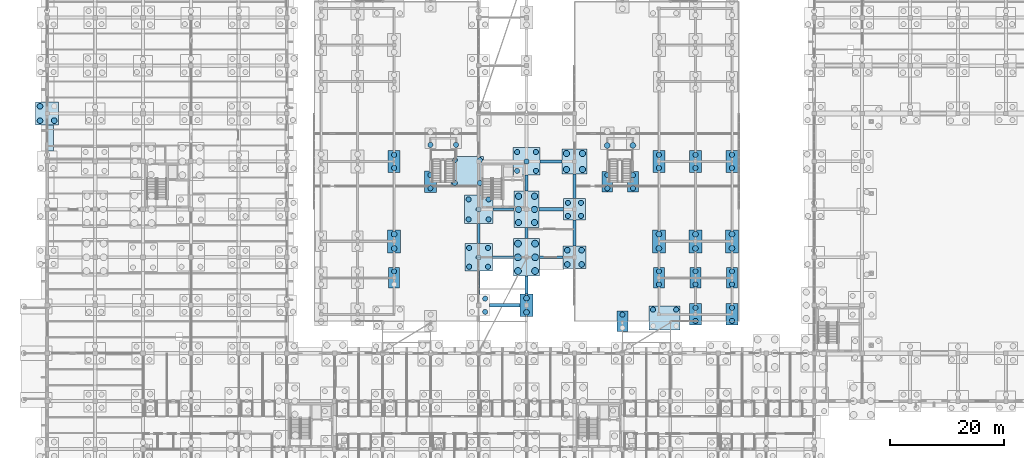
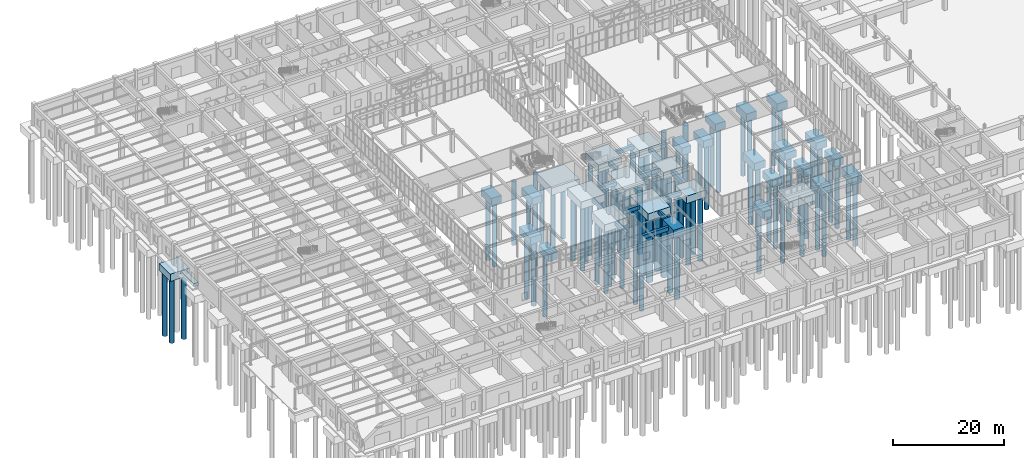
# One storey, part 6 of 192: 90 piles, 44 footings.
"""IFC4 building model written with IfcOpenShell, lengths in metres."""

from ifc_helpers import new_model, si_unit, direction, frame, origin, origin_2d, place, context, subcontext, project, spatial, rectangle, circle, extrude, material, layer, layer_set, material_profile, profile_set, type_object, element, save


model = new_model("IFC4")

# Units and contexts
model_context = context("Model", 3, precision=1e-05, world=origin(), true_north=direction((0.0, 1.0)))
body_context = subcontext(model_context, "Body", "Model", "MODEL_VIEW")
ifc_project = project(units=[si_unit("LENGTHUNIT", "METRE"), si_unit("AREAUNIT", "SQUARE_METRE"), si_unit("VOLUMEUNIT", "CUBIC_METRE"), si_unit("PLANEANGLEUNIT", "RADIAN"), si_unit("MASSUNIT", "GRAM", prefix="KILO")], contexts=[model_context])

# Site, building, storey
site_placement = place(None, origin())
site = spatial("IfcSite", under=ifc_project, at=site_placement, CompositionType="ELEMENT")
building_placement = place(site_placement, origin())
building = spatial("IfcBuilding", under=site, at=building_placement, Name="Trelvath General Hospital", CompositionType="ELEMENT")
storey_placement = place(building_placement, origin())
storey = spatial("IfcBuildingStorey", under=building, at=storey_placement, Name="L00", CompositionType="ELEMENT", Elevation=0.0)

# Piles
ifc_material_1 = material(Name="Concrete C35/45", Category="concrete")
ifc_material_profile_1 = material_profile(ifc_material_1, circle(Radius=0.5, at=origin_2d()), Name="PILE1000")
ifc_profile_set_1 = profile_set([ifc_material_profile_1], Name="Concrete C35/45")
pile_type_1 = type_object("IfcPileType", Name="BoredPile D1000", PredefinedType="BORED", material=ifc_profile_set_1)
for number, where, z_axis, x_axis, name in (
    (1, (-1.25, 65.949951171875, -1.800048828125), (0.0, 0.0, -1.0), (1.0, 0.0, 0.0), "Bored Pile P-0024"),
    (2, (1.25, 65.949951171875, -1.800048828125), (0.0, 0.0, -1.0), (1.0, 0.0, 0.0), "Bored Pile P-0025"),
    (3, (-1.25, 68.449951171875, -1.800048828125), (0.0, 0.0, -1.0), (1.0, 0.0, 0.0), "Bored Pile P-0026"),
    (4, (60.800048828125, 43.550048828125, -1.800048828125), (0.0, 0.0, -1.0), (1.0, 0.0, 0.0), "Bored Pile P-0470"),
    (5, (60.800048828125, 46.050048828125, -1.800048828125), (0.0, 0.0, -1.0), (1.0, 0.0, 0.0), "Bored Pile P-0471"),
    (6, (84.0, 32.35009765625, -1.800048828125), (0.0, 0.0, -1.0), (1.0, 0.0, 0.0), "Bored Pile P-0600"),
    (7, (84.0, 34.85009765625, -1.800048828125), (0.0, 0.0, -1.0), (1.0, 0.0, 0.0), "Bored Pile P-0601"),
    (8, (91.14990234375, 40.75, -1.800048828125), (0.0, 0.0, -1.0), (1.0, 0.0, 0.0), "Bored Pile P-0665"),
    (9, (93.64990234375, 40.75, -1.800048828125), (0.0, 0.0, -1.0), (1.0, 0.0, 0.0), "Bored Pile P-0666"),
    (10, (91.14990234375, 43.25, -1.800048828125), (0.0, 0.0, -1.0), (1.0, 0.0, 0.0), "Bored Pile P-0667"),
    (11, (93.64990234375, 43.25, -1.800048828125), (0.0, 0.0, -1.0), (1.0, 0.0, 0.0), "Bored Pile P-0668"),
    (12, (98.14990234375, 61.60009765625, -1.800048828125), (0.0, 0.0, -1.0), (1.0, 0.0, 0.0), "Bored Pile P-0703"),
    (13, (102.64990234375, 61.60009765625, -1.800048828125), (0.0, 0.0, -1.0), (1.0, 0.0, 0.0), "Bored Pile P-0742"),
    (14, (107.199951171875, 43.550048828125, -1.800048828125), (0.0, 0.0, -1.0), (1.0, 0.0, 0.0), "Bored Pile P-0750"),
    (15, (107.199951171875, 46.050048828125, -1.800048828125), (0.0, 0.0, -1.0), (1.0, 0.0, 0.0), "Bored Pile P-0751"),
    (16, (113.60009765625, 43.550048828125, -1.800048828125), (0.0, 0.0, -1.0), (1.0, 0.0, 0.0), "Bored Pile P-0798"),
    (17, (113.60009765625, 46.050048828125, -1.800048828125), (0.0, 0.0, -1.0), (1.0, 0.0, 0.0), "Bored Pile P-0799"),
    (18, (120.0, 43.550048828125, -1.800048828125), (0.0, 0.0, -1.0), (1.0, 0.0, 0.0), "Bored Pile P-0840"),
    (19, (120.0, 46.050048828125, -1.800048828125), (0.0, 0.0, -1.0), (1.0, 0.0, 0.0), "Bored Pile P-0841"),
):
    element("IfcPile", number, at=place(storey_placement, frame(where, z_axis=z_axis, x_axis=x_axis)), inside=storey, type_object=pile_type_1, Name=name, PredefinedType="BORED", context=body_context, shape_type="SweptSolid", body=[
        extrude(circle(Radius=0.5, at=origin_2d()), origin(), (0.0, 0.0, 1.0), 14.0),
    ])
ifc_material_2 = material(Name="Concrete C35/45", Category="concrete")
ifc_material_profile_2 = material_profile(ifc_material_2, circle(Radius=0.550048828125, at=origin_2d()), Name="PILE1100")
ifc_profile_set_2 = profile_set([ifc_material_profile_2], Name="Concrete C35/45")
pile_type_2 = type_object("IfcPileType", Name="BoredPile D1100", PredefinedType="BORED", material=ifc_profile_set_2)
for number, where, z_axis, x_axis, name in (
    (20, (82.60009765625, 48.10009765625, -1.800048828125), (0.0, 0.0, -1.0), (1.0, 0.0, 0.0), "Bored Pile P-0608"),
    (21, (85.39990234375, 48.10009765625, -1.800048828125), (0.0, 0.0, -1.0), (1.0, 0.0, 0.0), "Bored Pile P-0609"),
    (22, (82.60009765625, 50.39990234375, -1.800048828125), (0.0, 0.0, -1.0), (1.0, 0.0, 0.0), "Bored Pile P-0610"),
    (23, (85.39990234375, 50.39990234375, -1.800048828125), (0.0, 0.0, -1.0), (1.0, 0.0, 0.0), "Bored Pile P-0611"),
    (24, (82.60009765625, 52.699951171875, -1.800048828125), (0.0, 0.0, -1.0), (1.0, 0.0, 0.0), "Bored Pile P-0612"),
    (25, (85.39990234375, 52.699951171875, -1.800048828125), (0.0, 0.0, -1.0), (1.0, 0.0, 0.0), "Bored Pile P-0613"),
    (26, (91.0, 57.39990234375, -1.800048828125), (0.0, 0.0, -1.0), (1.0, 0.0, 0.0), "Bored Pile P-0673"),
    (27, (93.800048828125, 57.39990234375, -1.800048828125), (0.0, 0.0, -1.0), (1.0, 0.0, 0.0), "Bored Pile P-0674"),
    (28, (91.0, 60.199951171875, -1.800048828125), (0.0, 0.0, -1.0), (1.0, 0.0, 0.0), "Bored Pile P-0675"),
    (29, (93.800048828125, 60.199951171875, -1.800048828125), (0.0, 0.0, -1.0), (1.0, 0.0, 0.0), "Bored Pile P-0676"),
):
    element("IfcPile", number, at=place(storey_placement, frame(where, z_axis=z_axis, x_axis=x_axis)), inside=storey, type_object=pile_type_2, Name=name, PredefinedType="BORED", context=body_context, shape_type="SweptSolid", body=[
        extrude(circle(Radius=0.550048828125, at=origin_2d()), origin(), (0.0, 0.0, 1.0), 14.0),
    ])
ifc_material_3 = material(Name="Concrete C35/45", Category="concrete")
ifc_material_profile_3 = material_profile(ifc_material_3, circle(Radius=0.60009765625, at=origin_2d()), Name="PILE1200")
ifc_profile_set_3 = profile_set([ifc_material_profile_3], Name="Concrete C35/45")
pile_type_3 = type_object("IfcPileType", Name="BoredPile D1200", PredefinedType="BORED", material=ifc_profile_set_3)
for number, where, z_axis, x_axis, name in (
    (30, (82.5, 39.60009765625, -1.800048828125), (0.0, 0.0, -1.0), (1.0, 0.0, 0.0), "Bored Pile P-0602"),
    (31, (85.5, 39.60009765625, -1.800048828125), (0.0, 0.0, -1.0), (1.0, 0.0, 0.0), "Bored Pile P-0603"),
    (32, (82.5, 42.0, -1.800048828125), (0.0, 0.0, -1.0), (1.0, 0.0, 0.0), "Bored Pile P-0604"),
    (33, (85.5, 42.0, -1.800048828125), (0.0, 0.0, -1.0), (1.0, 0.0, 0.0), "Bored Pile P-0605"),
    (34, (82.5, 44.39990234375, -1.800048828125), (0.0, 0.0, -1.0), (1.0, 0.0, 0.0), "Bored Pile P-0606"),
    (35, (85.5, 44.39990234375, -1.800048828125), (0.0, 0.0, -1.0), (1.0, 0.0, 0.0), "Bored Pile P-0607"),
):
    element("IfcPile", number, at=place(storey_placement, frame(where, z_axis=z_axis, x_axis=x_axis)), inside=storey, type_object=pile_type_3, Name=name, PredefinedType="BORED", context=body_context, shape_type="SweptSolid", body=[
        extrude(circle(Radius=0.60009765625, at=origin_2d()), origin(), (0.0, 0.0, 1.0), 14.0),
    ])
ifc_material_4 = material(Name="Concrete C35/45", Category="concrete")
ifc_material_profile_4 = material_profile(ifc_material_4, circle(Radius=0.449951171875, at=origin_2d()), Name="PILE900")
ifc_profile_set_4 = profile_set([ifc_material_profile_4], Name="Concrete C35/45")
pile_type_4 = type_object("IfcPileType", Name="BoredPile D900", PredefinedType="BORED", material=ifc_profile_set_4)
for number, where, z_axis, x_axis, name in (
    (36, (60.800048828125, 39.550048828125, -1.800048828125), (0.0, 0.0, -1.0), (1.0, 0.0, 0.0), "Bored Pile P-0469"),
    (37, (60.800048828125, 57.64990234375, -1.800048828125), (0.0, 0.0, -1.0), (1.0, 0.0, 0.0), "Bored Pile P-0472"),
    (38, (60.800048828125, 59.949951171875, -1.800048828125), (0.0, 0.0, -1.0), (1.0, 0.0, 0.0), "Bored Pile P-0473"),
    (39, (67.14990234375, 54.10009765625, -1.800048828125), (0.0, 0.0, -1.0), (1.0, 0.0, 0.0), "Bored Pile P-0478"),
    (40, (67.14990234375, 56.39990234375, -1.800048828125), (0.0, 0.0, -1.0), (1.0, 0.0, 0.0), "Bored Pile P-0479"),
    (41, (67.14990234375, 61.699951171875, -1.800048828125), (0.0, 0.0, -1.0), (1.0, 0.0, 0.0), "Bored Pile P-0480"),
    (42, (71.419921875, 55.02001953125, -1.800048828125), (0.0, 0.0, -1.0), (1.0, 0.0, 0.0), "Bored Pile P-0514"),
    (43, (71.419921875, 59.030029296875, -1.800048828125), (0.0, 0.0, -1.0), (1.0, 0.0, 0.0), "Bored Pile P-0515"),
    (44, (75.830078125, 55.02001953125, -1.800048828125), (0.0, 0.0, -1.0), (1.0, 0.0, 0.0), "Bored Pile P-0516"),
    (45, (75.830078125, 59.030029296875, -1.800048828125), (0.0, 0.0, -1.0), (1.0, 0.0, 0.0), "Bored Pile P-0517"),
    (46, (71.64990234375, 61.699951171875, -1.800048828125), (0.0, 0.0, -1.0), (1.0, 0.0, 0.0), "Bored Pile P-0518"),
    (47, (76.75, 32.449951171875, -1.800048828125), (0.0, 0.0, -1.0), (1.0, 0.0, 0.0), "Bored Pile P-0537"),
    (48, (76.75, 34.75, -1.800048828125), (0.0, 0.0, -1.0), (1.0, 0.0, 0.0), "Bored Pile P-0539"),
    (49, (73.949951171875, 40.35009765625, -1.800048828125), (0.0, 0.0, -1.0), (1.0, 0.0, 0.0), "Bored Pile P-0540"),
    (50, (77.25, 40.35009765625, -1.800048828125), (0.0, 0.0, -1.0), (1.0, 0.0, 0.0), "Bored Pile P-0541"),
    (51, (75.60009765625, 42.0, -1.800048828125), (0.0, 0.0, -1.0), (1.0, 0.0, 0.0), "Bored Pile P-0542"),
    (52, (73.949951171875, 43.64990234375, -1.800048828125), (0.0, 0.0, -1.0), (1.0, 0.0, 0.0), "Bored Pile P-0543"),
    (53, (77.25, 43.64990234375, -1.800048828125), (0.0, 0.0, -1.0), (1.0, 0.0, 0.0), "Bored Pile P-0544"),
    (54, (73.85009765625, 48.64990234375, -1.800048828125), (0.0, 0.0, -1.0), (1.0, 0.0, 0.0), "Bored Pile P-0545"),
    (55, (77.35009765625, 48.64990234375, -1.800048828125), (0.0, 0.0, -1.0), (1.0, 0.0, 0.0), "Bored Pile P-0546"),
    (56, (75.60009765625, 50.39990234375, -1.800048828125), (0.0, 0.0, -1.0), (1.0, 0.0, 0.0), "Bored Pile P-0547"),
    (57, (73.85009765625, 52.14990234375, -1.800048828125), (0.0, 0.0, -1.0), (1.0, 0.0, 0.0), "Bored Pile P-0548"),
    (58, (77.35009765625, 52.14990234375, -1.800048828125), (0.0, 0.0, -1.0), (1.0, 0.0, 0.0), "Bored Pile P-0549"),
    (59, (82.35009765625, 57.14990234375, -1.800048828125), (0.0, 0.0, -1.0), (1.0, 0.0, 0.0), "Bored Pile P-0614"),
    (60, (85.64990234375, 57.14990234375, -1.800048828125), (0.0, 0.0, -1.0), (1.0, 0.0, 0.0), "Bored Pile P-0615"),
    (61, (84.0, 58.800048828125, -1.800048828125), (0.0, 0.0, -1.0), (1.0, 0.0, 0.0), "Bored Pile P-0616"),
    (62, (82.35009765625, 60.449951171875, -1.800048828125), (0.0, 0.0, -1.0), (1.0, 0.0, 0.0), "Bored Pile P-0617"),
    (63, (85.64990234375, 60.449951171875, -1.800048828125), (0.0, 0.0, -1.0), (1.0, 0.0, 0.0), "Bored Pile P-0618"),
    (64, (91.25, 49.25, -1.800048828125), (0.0, 0.0, -1.0), (1.0, 0.0, 0.0), "Bored Pile P-0669"),
    (65, (93.550048828125, 49.25, -1.800048828125), (0.0, 0.0, -1.0), (1.0, 0.0, 0.0), "Bored Pile P-0670"),
    (66, (91.25, 51.550048828125, -1.800048828125), (0.0, 0.0, -1.0), (1.0, 0.0, 0.0), "Bored Pile P-0671"),
    (67, (93.550048828125, 51.550048828125, -1.800048828125), (0.0, 0.0, -1.0), (1.0, 0.0, 0.0), "Bored Pile P-0672"),
    (68, (98.14990234375, 54.10009765625, -1.800048828125), (0.0, 0.0, -1.0), (1.0, 0.0, 0.0), "Bored Pile P-0701"),
    (69, (98.14990234375, 56.39990234375, -1.800048828125), (0.0, 0.0, -1.0), (1.0, 0.0, 0.0), "Bored Pile P-0702"),
    (70, (100.800048828125, 31.949951171875, -1.800048828125), (0.0, 0.0, -1.0), (1.0, 0.0, 0.0), "Bored Pile P-0723"),
    (71, (102.64990234375, 54.10009765625, -1.800048828125), (0.0, 0.0, -1.0), (1.0, 0.0, 0.0), "Bored Pile P-0740"),
    (72, (102.64990234375, 56.39990234375, -1.800048828125), (0.0, 0.0, -1.0), (1.0, 0.0, 0.0), "Bored Pile P-0741"),
    (73, (106.169921875, 32.830078125, -1.800048828125), (0.0, 0.0, -1.0), (1.0, 0.0, 0.0), "Bored Pile P-0745"),
    (74, (110.22998046875, 32.830078125, -1.800048828125), (0.0, 0.0, -1.0), (1.0, 0.0, 0.0), "Bored Pile P-0747"),
    (75, (107.199951171875, 37.25, -1.800048828125), (0.0, 0.0, -1.0), (1.0, 0.0, 0.0), "Bored Pile P-0748"),
    (76, (107.199951171875, 39.550048828125, -1.800048828125), (0.0, 0.0, -1.0), (1.0, 0.0, 0.0), "Bored Pile P-0749"),
    (77, (107.199951171875, 57.64990234375, -1.800048828125), (0.0, 0.0, -1.0), (1.0, 0.0, 0.0), "Bored Pile P-0752"),
    (78, (107.199951171875, 59.949951171875, -1.800048828125), (0.0, 0.0, -1.0), (1.0, 0.0, 0.0), "Bored Pile P-0753"),
    (79, (113.60009765625, 30.85009765625, -1.800048828125), (0.0, 0.0, -1.0), (1.0, 0.0, 0.0), "Bored Pile P-0794"),
    (80, (113.60009765625, 33.14990234375, -1.800048828125), (0.0, 0.0, -1.0), (1.0, 0.0, 0.0), "Bored Pile P-0795"),
    (81, (113.60009765625, 37.25, -1.800048828125), (0.0, 0.0, -1.0), (1.0, 0.0, 0.0), "Bored Pile P-0796"),
    (82, (113.60009765625, 39.550048828125, -1.800048828125), (0.0, 0.0, -1.0), (1.0, 0.0, 0.0), "Bored Pile P-0797"),
    (83, (113.60009765625, 57.64990234375, -1.800048828125), (0.0, 0.0, -1.0), (1.0, 0.0, 0.0), "Bored Pile P-0800"),
    (84, (113.60009765625, 59.949951171875, -1.800048828125), (0.0, 0.0, -1.0), (1.0, 0.0, 0.0), "Bored Pile P-0801"),
    (85, (120.0, 30.85009765625, -1.800048828125), (0.0, 0.0, -1.0), (1.0, 0.0, 0.0), "Bored Pile P-0836"),
    (86, (120.0, 33.14990234375, -1.800048828125), (0.0, 0.0, -1.0), (1.0, 0.0, 0.0), "Bored Pile P-0837"),
    (87, (120.0, 37.25, -1.800048828125), (0.0, 0.0, -1.0), (1.0, 0.0, 0.0), "Bored Pile P-0838"),
    (88, (120.0, 39.550048828125, -1.800048828125), (0.0, 0.0, -1.0), (1.0, 0.0, 0.0), "Bored Pile P-0839"),
    (89, (120.0, 57.64990234375, -1.800048828125), (0.0, 0.0, -1.0), (1.0, 0.0, 0.0), "Bored Pile P-0842"),
    (90, (120.0, 59.949951171875, -1.800048828125), (0.0, 0.0, -1.0), (1.0, 0.0, 0.0), "Bored Pile P-0843"),
):
    element("IfcPile", number, at=place(storey_placement, frame(where, z_axis=z_axis, x_axis=x_axis)), inside=storey, type_object=pile_type_4, Name=name, PredefinedType="BORED", context=body_context, shape_type="SweptSolid", body=[
        extrude(circle(Radius=0.449951171875, at=origin_2d()), origin(), (0.0, 0.0, 1.0), 14.0),
    ])

# Footings
ifc_material_5 = material(Name="Concrete C35/45", Category="concrete")
ifc_layer_1 = layer(ifc_material_5, 1.60009765625)
ifc_layer_set_1 = layer_set([ifc_layer_1], Name="Concrete C35/45")
footing_type_1 = type_object("IfcFootingType", Name="PileCap 2P 190x360", PredefinedType="PILE_CAP", material=ifc_layer_set_1)
for number, where, z_axis, x_axis, name in (
    (91, (60.800048828125, 38.39990234375, -1.900146484375), (0.0, 0.0, 1.0), (1.0, 0.0, 0.0), "Pile Cap PC-123"),
    (92, (98.14990234375, 55.25, -1.900146484375), (0.0, 0.0, 1.0), (1.0, 0.0, 0.0), "Pile Cap PC-183"),
    (93, (100.800048828125, 30.800048828125, -1.900146484375), (0.0, 0.0, 1.0), (1.0, 0.0, 0.0), "Pile Cap PC-189"),
    (94, (102.64990234375, 55.25, -1.900146484375), (0.0, 0.0, 1.0), (1.0, 0.0, 0.0), "Pile Cap PC-195"),
    (95, (107.199951171875, 38.39990234375, -1.900146484375), (0.0, 0.0, 1.0), (1.0, 0.0, 0.0), "Pile Cap PC-198"),
    (96, (113.60009765625, 38.39990234375, -1.900146484375), (0.0, 0.0, 1.0), (1.0, 0.0, 0.0), "Pile Cap PC-213"),
    (97, (120.0, 38.39990234375, -1.900146484375), (0.0, 0.0, 1.0), (1.0, 0.0, 0.0), "Pile Cap PC-228"),
):
    element("IfcFooting", number, at=place(storey_placement, frame(where, z_axis=z_axis, x_axis=x_axis)), inside=storey, type_object=footing_type_1, Name=name, PredefinedType="PILE_CAP", context=body_context, shape_type="SweptSolid", body=[
        extrude(rectangle(XDim=1.89990234375, YDim=3.60009765625, at=origin_2d()), origin(), (0.0, 0.0, 1.0), 1.60009765625),
    ])
ifc_material_6 = material(Name="Concrete C35/45", Category="concrete")
ifc_layer_2 = layer(ifc_material_6, 1.60009765625)
ifc_layer_set_2 = layer_set([ifc_layer_2], Name="Concrete C35/45")
footing_type_2 = type_object("IfcFootingType", Name="PileCap 2P 210x380", PredefinedType="PILE_CAP", material=ifc_layer_set_2)
for number, where, z_axis, x_axis, name in (
    (98, (60.800048828125, 58.800048828125, -1.900146484375), (0.0, 0.0, 1.0), (1.0, 0.0, 0.0), "Pile Cap PC-125"),
    (99, (67.14990234375, 55.25, -1.900146484375), (0.0, 0.0, 1.0), (1.0, 0.0, 0.0), "Pile Cap PC-128"),
    (100, (107.199951171875, 58.800048828125, -1.900146484375), (0.0, 0.0, 1.0), (1.0, 0.0, 0.0), "Pile Cap PC-200"),
    (101, (113.60009765625, 32.0, -1.900146484375), (0.0, 0.0, 1.0), (1.0, 0.0, 0.0), "Pile Cap PC-212"),
    (102, (113.60009765625, 58.800048828125, -1.900146484375), (0.0, 0.0, 1.0), (1.0, 0.0, 0.0), "Pile Cap PC-215"),
    (103, (120.0, 32.0, -1.900146484375), (0.0, 0.0, 1.0), (1.0, 0.0, 0.0), "Pile Cap PC-227"),
    (104, (120.0, 58.800048828125, -1.900146484375), (0.0, 0.0, 1.0), (1.0, 0.0, 0.0), "Pile Cap PC-230"),
):
    element("IfcFooting", number, at=place(storey_placement, frame(where, z_axis=z_axis, x_axis=x_axis)), inside=storey, type_object=footing_type_2, Name=name, PredefinedType="PILE_CAP", context=body_context, shape_type="SweptSolid", body=[
        extrude(rectangle(XDim=2.10009765625, YDim=3.800048828125, at=origin_2d()), origin(), (0.0, 0.0, 1.0), 1.60009765625),
    ])
ifc_material_7 = material(Name="Concrete C35/45", Category="concrete")
ifc_layer_3 = layer(ifc_material_7, 1.60009765625)
ifc_layer_set_3 = layer_set([ifc_layer_3], Name="Concrete C35/45")
footing_type_3 = type_object("IfcFootingType", Name="PileCap 2P 230x400", PredefinedType="PILE_CAP", material=ifc_layer_set_3)
for number, where, z_axis, x_axis, name in (
    (105, (60.800048828125, 44.800048828125, -1.900146484375), (0.0, 0.0, 1.0), (1.0, 0.0, 0.0), "Pile Cap PC-124"),
    (106, (107.199951171875, 44.800048828125, -1.900146484375), (0.0, 0.0, 1.0), (1.0, 0.0, 0.0), "Pile Cap PC-199"),
    (107, (113.60009765625, 44.800048828125, -1.900146484375), (0.0, 0.0, 1.0), (1.0, 0.0, 0.0), "Pile Cap PC-214"),
    (108, (120.0, 44.800048828125, -1.900146484375), (0.0, 0.0, 1.0), (1.0, 0.0, 0.0), "Pile Cap PC-229"),
):
    element("IfcFooting", number, at=place(storey_placement, frame(where, z_axis=z_axis, x_axis=x_axis)), inside=storey, type_object=footing_type_3, Name=name, PredefinedType="PILE_CAP", context=body_context, shape_type="SweptSolid", body=[
        extrude(rectangle(XDim=2.300048828125, YDim=4.0, at=origin_2d()), origin(), (0.0, 0.0, 1.0), 1.60009765625),
    ])
ifc_material_8 = material(Name="Concrete C35/45", Category="concrete")
ifc_layer_4 = layer(ifc_material_8, 1.89990234375)
ifc_layer_set_4 = layer_set([ifc_layer_4], Name="Concrete C35/45")
footing_type_4 = type_object("IfcFootingType", Name="PileCap 2P 230x400 G0", PredefinedType="PILE_CAP", material=ifc_layer_set_4)
footing_1_placement = place(storey_placement, frame((84.0, 33.60009765625, -1.89990234375), z_axis=(0.0, 0.0, 1.0), x_axis=(1.0, 0.0, 0.0)))
element("IfcFooting", 109, at=footing_1_placement, inside=storey, type_object=footing_type_4, Name="Pile Cap PC-160", PredefinedType="PILE_CAP", context=body_context, shape_type="SweptSolid", body=[
    extrude(rectangle(XDim=2.300048828125, YDim=4.0, at=origin_2d()), origin(), (0.0, 0.0, 1.0), 1.89990234375),
])
ifc_material_9 = material(Name="Concrete C35/45", Category="concrete")
ifc_layer_5 = layer(ifc_material_9, 1.60009765625)
ifc_layer_set_5 = layer_set([ifc_layer_5], Name="Concrete C35/45")
footing_type_5 = type_object("IfcFootingType", Name="PileCap 4P 380x380", PredefinedType="PILE_CAP", material=ifc_layer_set_5)
footing_2_placement = place(storey_placement, frame((92.39990234375, 50.39990234375, -1.900146484375), z_axis=(0.0, 0.0, 1.0), x_axis=(1.0, 0.0, 0.0)))
element("IfcFooting", 110, at=footing_2_placement, inside=storey, type_object=footing_type_5, Name="Pile Cap PC-176", PredefinedType="PILE_CAP", context=body_context, shape_type="SweptSolid", body=[
    extrude(rectangle(XDim=3.800048828125, YDim=3.800048828125, at=origin_2d()), origin(), (0.0, 0.0, 1.0), 1.60009765625),
])
ifc_material_10 = material(Name="Concrete C35/45", Category="concrete")
ifc_layer_6 = layer(ifc_material_10, 1.60009765625)
ifc_layer_set_6 = layer_set([ifc_layer_6], Name="Concrete C35/45")
footing_type_6 = type_object("IfcFootingType", Name="PileCap 4P 400x400", PredefinedType="PILE_CAP", material=ifc_layer_set_6)
for number, where, z_axis, x_axis, name in (
    (111, (0.0, 67.199951171875, -1.900146484375), (0.0, 0.0, 1.0), (1.0, 0.0, 0.0), "Pile Cap PC-009"),
    (112, (92.39990234375, 42.0, -1.900146484375), (0.0, 0.0, 1.0), (1.0, 0.0, 0.0), "Pile Cap PC-175"),
):
    element("IfcFooting", number, at=place(storey_placement, frame(where, z_axis=z_axis, x_axis=x_axis)), inside=storey, type_object=footing_type_6, Name=name, PredefinedType="PILE_CAP", context=body_context, shape_type="SweptSolid", body=[
        extrude(rectangle(XDim=4.0, YDim=4.0, at=origin_2d()), origin(), (0.0, 0.0, 1.0), 1.60009765625),
    ])
ifc_material_11 = material(Name="Concrete C35/45", Category="concrete")
ifc_layer_7 = layer(ifc_material_11, 1.60009765625)
ifc_layer_set_7 = layer_set([ifc_layer_7], Name="Concrete C35/45")
footing_type_7 = type_object("IfcFootingType", Name="PileCap 4P 440x440", PredefinedType="PILE_CAP", material=ifc_layer_set_7)
footing_3_placement = place(storey_placement, frame((92.39990234375, 58.800048828125, -1.900146484375), z_axis=(0.0, 0.0, 1.0), x_axis=(1.0, 0.0, 0.0)))
element("IfcFooting", 113, at=footing_3_placement, inside=storey, type_object=footing_type_7, Name="Pile Cap PC-177", PredefinedType="PILE_CAP", context=body_context, shape_type="SweptSolid", body=[
    extrude(rectangle(XDim=4.39990234375, YDim=4.39990234375, at=origin_2d()), origin(), (0.0, 0.0, 1.0), 1.60009765625),
])
ifc_material_12 = material(Name="Concrete C35/45", Category="concrete")
ifc_layer_8 = layer(ifc_material_12, 1.60009765625)
ifc_layer_set_8 = layer_set([ifc_layer_8], Name="Concrete C35/45")
footing_type_8 = type_object("IfcFootingType", Name="PileCap 5P 480x480", PredefinedType="PILE_CAP", material=ifc_layer_set_8)
for number, where, z_axis, x_axis, name in (
    (114, (75.60009765625, 42.0, -1.900146484375), (0.0, 0.0, 1.0), (1.0, 0.0, 0.0), "Pile Cap PC-147"),
    (115, (84.0, 58.800048828125, -1.900146484375), (0.0, 0.0, 1.0), (1.0, 0.0, 0.0), "Pile Cap PC-163"),
):
    element("IfcFooting", number, at=place(storey_placement, frame(where, z_axis=z_axis, x_axis=x_axis)), inside=storey, type_object=footing_type_8, Name=name, PredefinedType="PILE_CAP", context=body_context, shape_type="SweptSolid", body=[
        extrude(rectangle(XDim=4.800048828125, YDim=4.800048828125, at=origin_2d()), origin(), (0.0, 0.0, 1.0), 1.60009765625),
    ])
ifc_material_13 = material(Name="Concrete C35/45", Category="concrete")
ifc_layer_9 = layer(ifc_material_13, 1.60009765625)
ifc_layer_set_9 = layer_set([ifc_layer_9], Name="Concrete C35/45")
footing_type_9 = type_object("IfcFootingType", Name="PileCap 5P 500x500", PredefinedType="PILE_CAP", material=ifc_layer_set_9)
footing_4_placement = place(storey_placement, frame((75.60009765625, 50.39990234375, -1.900146484375), z_axis=(0.0, 0.0, 1.0), x_axis=(1.0, 0.0, 0.0)))
element("IfcFooting", 116, at=footing_4_placement, inside=storey, type_object=footing_type_9, Name="Pile Cap PC-148", PredefinedType="PILE_CAP", context=body_context, shape_type="SweptSolid", body=[
    extrude(rectangle(XDim=5.0, YDim=5.0, at=origin_2d()), origin(), (0.0, 0.0, 1.0), 1.60009765625),
])
ifc_material_14 = material(Name="Concrete C35/45", Category="concrete")
ifc_layer_10 = layer(ifc_material_14, 1.60009765625)
ifc_layer_set_10 = layer_set([ifc_layer_10], Name="Concrete C35/45")
footing_type_10 = type_object("IfcFootingType", Name="PileCap 6P 440x640", PredefinedType="PILE_CAP", material=ifc_layer_set_10)
footing_5_placement = place(storey_placement, frame((84.0, 50.39990234375, -1.900146484375), z_axis=(0.0, 0.0, 1.0), x_axis=(1.0, 0.0, 0.0)))
element("IfcFooting", 117, at=footing_5_placement, inside=storey, type_object=footing_type_10, Name="Pile Cap PC-162", PredefinedType="PILE_CAP", context=body_context, shape_type="SweptSolid", body=[
    extrude(rectangle(XDim=4.39990234375, YDim=6.39990234375, at=origin_2d()), origin(), (0.0, 0.0, 1.0), 1.60009765625),
])
ifc_material_15 = material(Name="Concrete C35/45", Category="concrete")
ifc_layer_11 = layer(ifc_material_15, 1.60009765625)
ifc_layer_set_11 = layer_set([ifc_layer_11], Name="Concrete C35/45")
footing_type_11 = type_object("IfcFootingType", Name="PileCap 6P 460x660", PredefinedType="PILE_CAP", material=ifc_layer_set_11)
footing_6_placement = place(storey_placement, frame((84.0, 42.0, -1.900146484375), z_axis=(0.0, 0.0, 1.0), x_axis=(1.0, 0.0, 0.0)))
element("IfcFooting", 118, at=footing_6_placement, inside=storey, type_object=footing_type_11, Name="Pile Cap PC-161", PredefinedType="PILE_CAP", context=body_context, shape_type="SweptSolid", body=[
    extrude(rectangle(XDim=4.60009765625, YDim=6.60009765625, at=origin_2d()), origin(), (0.0, 0.0, 1.0), 1.60009765625),
])
ifc_material_16 = material(Name="Concrete C35/45", Category="concrete")
ifc_layer_12 = layer(ifc_material_16, 1.60009765625)
ifc_layer_set_12 = layer_set([ifc_layer_12], Name="Concrete C35/45")
footing_type_12 = type_object("IfcFootingType", Name="PileCap Comb 575x535", PredefinedType="PILE_CAP", material=ifc_layer_set_12)
footing_7_placement = place(storey_placement, frame((73.625, 57.02490234375, -1.900146484375), z_axis=(0.0, 0.0, 1.0), x_axis=(1.0, 0.0, 0.0)))
element("IfcFooting", 119, at=footing_7_placement, inside=storey, type_object=footing_type_12, Name="Pile Cap PC-140", PredefinedType="PILE_CAP", context=body_context, shape_type="SweptSolid", body=[
    extrude(rectangle(XDim=5.75, YDim=5.35009765625, at=origin_2d()), origin(), (0.0, 0.0, 1.0), 1.60009765625),
])
ifc_material_17 = material(Name="Concrete C35/45", Category="concrete")
ifc_layer_13 = layer(ifc_material_17, 1.60009765625)
ifc_layer_set_13 = layer_set([ifc_layer_13], Name="Concrete C35/45")
footing_type_13 = type_object("IfcFootingType", Name="PileCap Combined 540x420", PredefinedType="PILE_CAP", material=ifc_layer_set_13)
footing_8_placement = place(storey_placement, frame((108.199951171875, 31.39990234375, -1.900146484375), z_axis=(0.0, 0.0, 1.0), x_axis=(1.0, 0.0, 0.0)))
element("IfcFooting", 120, at=footing_8_placement, inside=storey, type_object=footing_type_13, Name="Pile Cap PC-197", PredefinedType="PILE_CAP", context=body_context, shape_type="SweptSolid", body=[
    extrude(rectangle(XDim=5.39990234375, YDim=4.199951171875, at=origin_2d()), origin(), (0.0, 0.0, 1.0), 1.60009765625),
])
ifc_material_18 = material(Name="Concrete C35/45", Category="concrete")
ifc_layer_14 = layer(ifc_material_18, 0.64990234375)
ifc_layer_set_14 = layer_set([ifc_layer_14], Name="Concrete C35/45")
footing_type_14 = type_object("IfcFootingType", Name="StripFooting 1000x650", PredefinedType="STRIP_FOOTING", material=ifc_layer_set_14)
footing_9_placement = place(storey_placement, frame((0.64990234375, 62.89990234375, -1.010009765625), z_axis=(0.0, 0.0, 1.0), x_axis=(1.0, 0.0, 0.0)))
element("IfcFooting", 121, at=footing_9_placement, inside=storey, type_object=footing_type_14, Name="Radiation Wall Strip Footing SF-04", PredefinedType="STRIP_FOOTING", context=body_context, shape_type="SweptSolid", body=[
    extrude(rectangle(XDim=1.0, YDim=4.60009765625, at=origin_2d()), origin(), (0.0, 0.0, 1.0), 0.64990234375),
])
ifc_material_19 = material(Name="Concrete C35/45", Category="concrete")
ifc_layer_15 = layer(ifc_material_19, 0.75)
ifc_layer_set_15 = layer_set([ifc_layer_15], Name="Concrete C35/45")
footing_type_15 = type_object("IfcFootingType", Name="TieBeam 450x750", PredefinedType="FOOTING_BEAM", material=ifc_layer_set_15)
footing_10_placement = place(storey_placement, frame((75.60009765625, 46.14990234375, -1.050048828125), z_axis=(0.0, 0.0, 1.0), x_axis=(1.0, 0.0, 0.0)))
element("IfcFooting", 122, at=footing_10_placement, inside=storey, type_object=footing_type_15, Name="Foundation Tie Beam TB-181", PredefinedType="FOOTING_BEAM", context=body_context, shape_type="SweptSolid", body=[
    extrude(rectangle(XDim=0.449951171875, YDim=3.5, at=origin_2d()), origin(), (0.0, 0.0, 1.0), 0.75),
])
footing_11_placement = place(storey_placement, frame((79.949951171875, 50.39990234375, -1.050048828125), z_axis=(0.0, 0.0, 1.0), x_axis=(1.0, 0.0, 0.0)))
element("IfcFooting", 123, at=footing_11_placement, inside=storey, type_object=footing_type_15, Name="Foundation Tie Beam TB-182", PredefinedType="FOOTING_BEAM", context=body_context, shape_type="SweptSolid", body=[
    extrude(rectangle(XDim=3.699951171875, YDim=0.449951171875, at=origin_2d()), origin(), (0.0, 0.0, 1.0), 0.75),
])
footing_12_placement = place(storey_placement, frame((84.0, 37.14990234375, -1.050048828125), z_axis=(0.0, 0.0, 1.0), x_axis=(1.0, 0.0, 0.0)))
element("IfcFooting", 124, at=footing_12_placement, inside=storey, type_object=footing_type_15, Name="Foundation Tie Beam TB-201", PredefinedType="FOOTING_BEAM", context=body_context, shape_type="SweptSolid", body=[
    extrude(rectangle(XDim=0.449951171875, YDim=3.10009765625, at=origin_2d()), origin(), (0.0, 0.0, 1.0), 0.75),
])
footing_13_placement = place(storey_placement, frame((88.35009765625, 42.0, -1.050048828125), z_axis=(0.0, 0.0, 1.0), x_axis=(1.0, 0.0, 0.0)))
element("IfcFooting", 125, at=footing_13_placement, inside=storey, type_object=footing_type_15, Name="Foundation Tie Beam TB-202", PredefinedType="FOOTING_BEAM", context=body_context, shape_type="SweptSolid", body=[
    extrude(rectangle(XDim=4.10009765625, YDim=0.449951171875, at=origin_2d()), origin(), (0.0, 0.0, 1.0), 0.75),
])
ifc_material_20 = material(Name="Concrete C35/45", Category="concrete")
ifc_layer_16 = layer(ifc_material_20, 0.800048828125)
ifc_layer_set_16 = layer_set([ifc_layer_16], Name="Concrete C35/45")
footing_type_16 = type_object("IfcFootingType", Name="TieBeam 500x800", PredefinedType="FOOTING_BEAM", material=ifc_layer_set_16)
footing_14_placement = place(storey_placement, frame((75.60009765625, 37.550048828125, -1.10009765625), z_axis=(0.0, 0.0, 1.0), x_axis=(1.0, 0.0, 0.0)))
element("IfcFooting", 126, at=footing_14_placement, inside=storey, type_object=footing_type_16, Name="Foundation Tie Beam TB-179", PredefinedType="FOOTING_BEAM", context=body_context, shape_type="SweptSolid", body=[
    extrude(rectangle(XDim=0.5, YDim=4.10009765625, at=origin_2d()), origin(), (0.0, 0.0, 1.0), 0.800048828125),
])
footing_15_placement = place(storey_placement, frame((79.85009765625, 42.0, -1.10009765625), z_axis=(0.0, 0.0, 1.0), x_axis=(1.0, 0.0, 0.0)))
element("IfcFooting", 127, at=footing_15_placement, inside=storey, type_object=footing_type_16, Name="Foundation Tie Beam TB-180", PredefinedType="FOOTING_BEAM", context=body_context, shape_type="SweptSolid", body=[
    extrude(rectangle(XDim=3.699951171875, YDim=0.5, at=origin_2d()), origin(), (0.0, 0.0, 1.0), 0.800048828125),
])
footing_16_placement = place(storey_placement, frame((92.39990234375, 54.449951171875, -1.10009765625), z_axis=(0.0, 0.0, 1.0), x_axis=(1.0, 0.0, 0.0)))
element("IfcFooting", 128, at=footing_16_placement, inside=storey, type_object=footing_type_16, Name="Foundation Tie Beam TB-224", PredefinedType="FOOTING_BEAM", context=body_context, shape_type="SweptSolid", body=[
    extrude(rectangle(XDim=0.5, YDim=4.300048828125, at=origin_2d()), origin(), (0.0, 0.0, 1.0), 0.800048828125),
])
ifc_material_21 = material(Name="Concrete C35/45", Category="concrete")
ifc_layer_17 = layer(ifc_material_21, 0.85009765625)
ifc_layer_set_17 = layer_set([ifc_layer_17], Name="Concrete C35/45")
footing_type_17 = type_object("IfcFootingType", Name="TieBeam 550x850", PredefinedType="FOOTING_BEAM", material=ifc_layer_set_17)
footing_17_placement = place(storey_placement, frame((80.175048828125, 33.60009765625, -1.150146484375), z_axis=(0.0, 0.0, 1.0), x_axis=(1.0, 0.0, 0.0)))
element("IfcFooting", 129, at=footing_17_placement, inside=storey, type_object=footing_type_17, Name="Foundation Tie Beam TB-178", PredefinedType="FOOTING_BEAM", context=body_context, shape_type="SweptSolid", body=[
    extrude(rectangle(XDim=5.35009765625, YDim=0.550048828125, at=origin_2d()), origin(), (0.0, 0.0, 1.0), 0.85009765625),
])
footing_18_placement = place(storey_placement, frame((84.0, 55.0, -1.150146484375), z_axis=(0.0, 0.0, 1.0), x_axis=(1.0, 0.0, 0.0)))
element("IfcFooting", 130, at=footing_18_placement, inside=storey, type_object=footing_type_17, Name="Foundation Tie Beam TB-205", PredefinedType="FOOTING_BEAM", context=body_context, shape_type="SweptSolid", body=[
    extrude(rectangle(XDim=0.550048828125, YDim=2.800048828125, at=origin_2d()), origin(), (0.0, 0.0, 1.0), 0.85009765625),
])
footing_19_placement = place(storey_placement, frame((88.300048828125, 58.800048828125, -1.150146484375), z_axis=(0.0, 0.0, 1.0), x_axis=(1.0, 0.0, 0.0)))
element("IfcFooting", 131, at=footing_19_placement, inside=storey, type_object=footing_type_17, Name="Foundation Tie Beam TB-206", PredefinedType="FOOTING_BEAM", context=body_context, shape_type="SweptSolid", body=[
    extrude(rectangle(XDim=3.800048828125, YDim=0.550048828125, at=origin_2d()), origin(), (0.0, 0.0, 1.0), 0.85009765625),
])
footing_20_placement = place(storey_placement, frame((92.39990234375, 46.25, -1.150146484375), z_axis=(0.0, 0.0, 1.0), x_axis=(1.0, 0.0, 0.0)))
element("IfcFooting", 132, at=footing_20_placement, inside=storey, type_object=footing_type_17, Name="Foundation Tie Beam TB-223", PredefinedType="FOOTING_BEAM", context=body_context, shape_type="SweptSolid", body=[
    extrude(rectangle(XDim=0.550048828125, YDim=4.5, at=origin_2d()), origin(), (0.0, 0.0, 1.0), 0.85009765625),
])
ifc_material_22 = material(Name="Concrete C35/45", Category="concrete")
ifc_layer_18 = layer(ifc_material_22, 0.89990234375)
ifc_layer_set_18 = layer_set([ifc_layer_18], Name="Concrete C35/45")
footing_type_18 = type_object("IfcFootingType", Name="TieBeam 600x900", PredefinedType="FOOTING_BEAM", material=ifc_layer_set_18)
footing_21_placement = place(storey_placement, frame((84.0, 46.25, -1.199951171875), z_axis=(0.0, 0.0, 1.0), x_axis=(1.0, 0.0, 0.0)))
element("IfcFooting", 133, at=footing_21_placement, inside=storey, type_object=footing_type_18, Name="Foundation Tie Beam TB-203", PredefinedType="FOOTING_BEAM", context=body_context, shape_type="SweptSolid", body=[
    extrude(rectangle(XDim=0.60009765625, YDim=1.89990234375, at=origin_2d()), origin(), (0.0, 0.0, 1.0), 0.89990234375),
])
footing_22_placement = place(storey_placement, frame((88.35009765625, 50.39990234375, -1.199951171875), z_axis=(0.0, 0.0, 1.0), x_axis=(1.0, 0.0, 0.0)))
element("IfcFooting", 134, at=footing_22_placement, inside=storey, type_object=footing_type_18, Name="Foundation Tie Beam TB-204", PredefinedType="FOOTING_BEAM", context=body_context, shape_type="SweptSolid", body=[
    extrude(rectangle(XDim=4.300048828125, YDim=0.60009765625, at=origin_2d()), origin(), (0.0, 0.0, 1.0), 0.89990234375),
])

save(model, "model.ifc")
